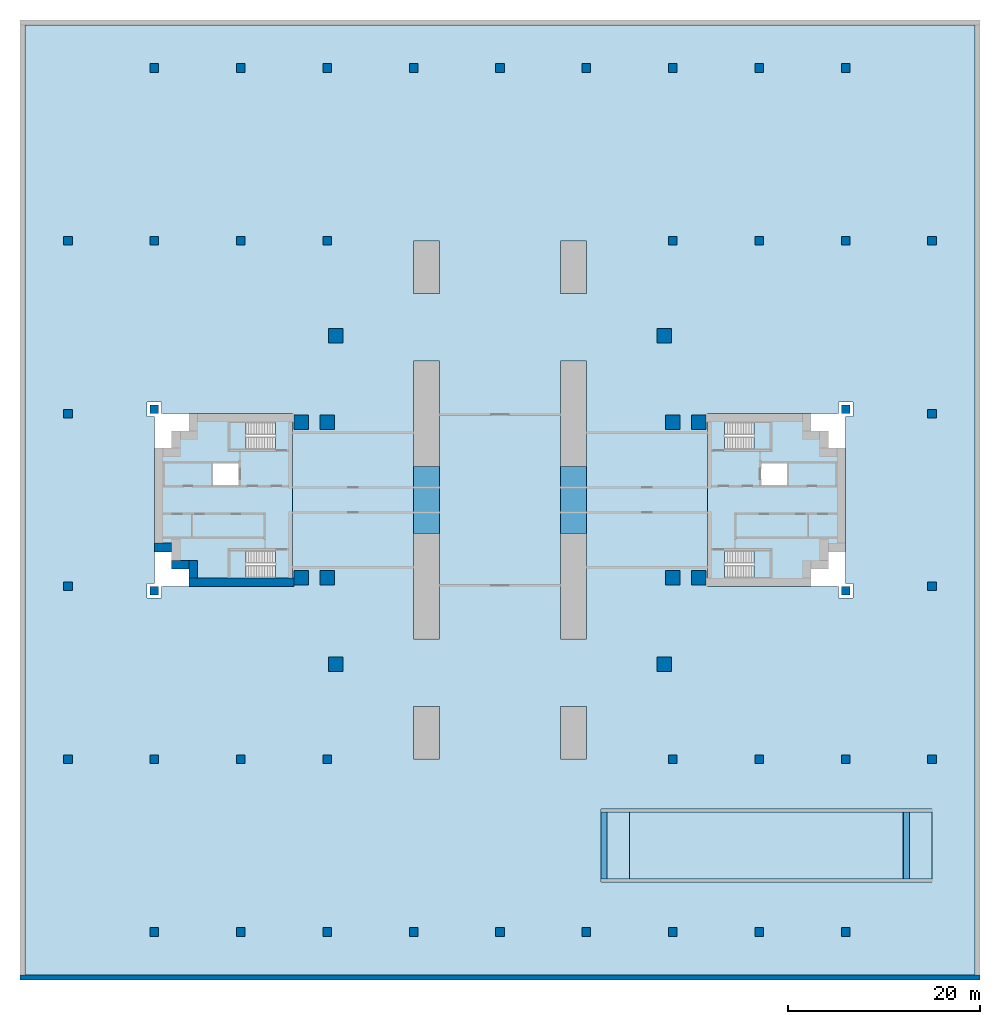
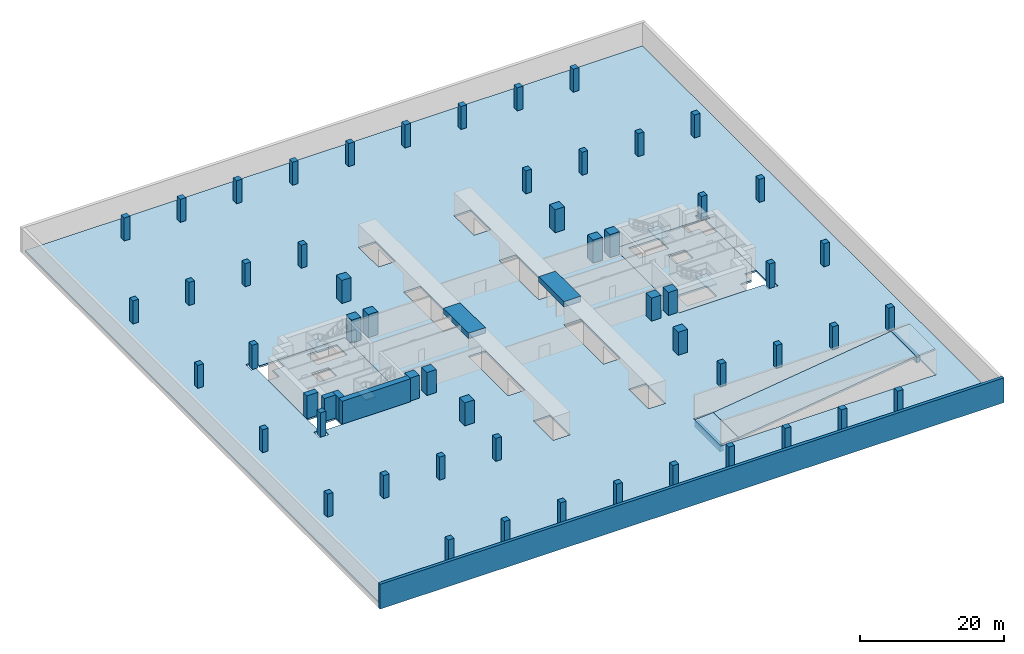
# One storey, part 1 of 8: 54 columns, 10 slabs, 5 walls, 4 beams, 4 elements without a shape of their own.
"""IFC4 building model written with IfcOpenShell, lengths in metres."""

from ifc_helpers import new_model, si_unit, direction, frame, frame_2d, origin, origin_2d, place, context, subcontext, project, spatial, polyline, rectangle, outline, extrude, material, layer, layer_set, material_profile, profile_set, type_object, element, aggregate, save


model = new_model("IFC4")

# Units and contexts
model_context = context("Model", 3, precision=1e-05, world=origin(), true_north=direction((0.0, 1.0)))
body_context = subcontext(model_context, "Body", "Model", "MODEL_VIEW")
ifc_project = project(units=[si_unit("LENGTHUNIT", "METRE"), si_unit("AREAUNIT", "SQUARE_METRE"), si_unit("VOLUMEUNIT", "CUBIC_METRE"), si_unit("PLANEANGLEUNIT", "RADIAN"), si_unit("MASSUNIT", "GRAM", prefix="KILO")], contexts=[model_context])

# Site, building, storey
site_placement = place(None, origin())
site = spatial("IfcSite", under=ifc_project, at=site_placement, CompositionType="ELEMENT")
building_placement = place(site_placement, origin())
building = spatial("IfcBuilding", under=site, at=building_placement, Name="Perihelion Cross Residences", CompositionType="ELEMENT")
storey_placement = place(building_placement, frame((0.0, 0.0, -12.89990234375)))
storey = spatial("IfcBuildingStorey", under=building, at=storey_placement, Name="B3", CompositionType="ELEMENT", Elevation=-12.89990234375)

# Columns
ifc_material_1 = material(Name="Concrete C80/95", Category="concrete")
ifc_material_profile_1 = material_profile(ifc_material_1, rectangle(XDim=1.5, YDim=1.5, at=origin_2d()), Name="RC 1500x1500")
ifc_profile_set_1 = profile_set([ifc_material_profile_1], Name="Concrete C80/95")
column_type_1 = type_object("IfcColumnType", Name="Reinforced concrete column 1500x1500 C80/95", PredefinedType="COLUMN", material=ifc_profile_set_1)
for number, where, z_axis, x_axis, name in (
    (1, (-20.699951171875, -8.10009765625, -0.300048828125), (0.0, 0.0, 1.0), (1.0, 0.0, 0.0), "Column C017 B3 no. 1"),
    (2, (-20.699951171875, 8.10009765625, -0.300048828125), (0.0, 0.0, 1.0), (1.0, 0.0, 0.0), "Column C010 B3 no. 1"),
    (3, (-18.0, -8.10009765625, -0.300048828125), (0.0, 0.0, 1.0), (1.0, 0.0, 0.0), "Column C018 B3 no. 1"),
    (4, (-18.0, 8.10009765625, -0.300048828125), (0.0, 0.0, 1.0), (1.0, 0.0, 0.0), "Column C011 B3 no. 1"),
    (5, (18.0, -8.10009765625, -0.300048828125), (0.0, 0.0, 1.0), (1.0, 0.0, 0.0), "Column C021 B3 no. 1"),
    (6, (18.0, 8.10009765625, -0.300048828125), (0.0, 0.0, 1.0), (1.0, 0.0, 0.0), "Column C015 B3 no. 1"),
    (7, (20.699951171875, -8.10009765625, -0.300048828125), (0.0, 0.0, 1.0), (1.0, 0.0, 0.0), "Column C022 B3 no. 1"),
    (8, (20.699951171875, 8.10009765625, -0.300048828125), (0.0, 0.0, 1.0), (1.0, 0.0, 0.0), "Column C016 B3 no. 1"),
    (9, (17.10009765625, 17.10009765625, -0.300048828125), (0.0, 0.0, 1.0), (1.0, 0.0, 0.0), "Column C009 B3 no. 1"),
    (10, (-17.10009765625, 17.10009765625, -0.300048828125), (0.0, 0.0, 1.0), (1.0, 0.0, 0.0), "Column C008 B3 no. 1"),
    (11, (-17.10009765625, -17.10009765625, -0.300048828125), (0.0, 0.0, 1.0), (1.0, 0.0, 0.0), "Column C030 B3 no. 1"),
    (12, (17.10009765625, -17.10009765625, -0.300048828125), (0.0, 0.0, 1.0), (1.0, 0.0, 0.0), "Column C036 B3 no. 1"),
):
    element("IfcColumn", number, at=place(storey_placement, frame(where, z_axis=z_axis, x_axis=x_axis)), inside=storey, type_object=column_type_1, Name=name, PredefinedType="COLUMN", context=body_context, shape_type="SweptSolid", body=[
        extrude(rectangle(XDim=1.5, YDim=1.5, at=origin_2d()), origin(), (0.0, 0.0, 1.0), 4.199951171875),
    ])
ifc_material_2 = material(Name="Concrete C50/60", Category="concrete")
ifc_material_profile_2 = material_profile(ifc_material_2, rectangle(XDim=0.89990234375, YDim=0.89990234375, at=origin_2d()), Name="RC 900x900")
ifc_profile_set_2 = profile_set([ifc_material_profile_2], Name="Concrete C50/60")
column_type_2 = type_object("IfcColumnType", Name="Reinforced concrete column 900x900 C50/60", PredefinedType="COLUMN", material=ifc_profile_set_2)
for number, where, z_axis, x_axis, name in (
    (13, (-45.0, -27.0, -0.300048828125), (0.0, 0.0, 1.0), (1.0, 0.0, 0.0), "Column CP12 B3 no. 1"),
    (14, (-45.0, -9.0, -0.300048828125), (0.0, 0.0, 1.0), (1.0, 0.0, 0.0), "Column CP13 B3 no. 1"),
    (15, (-45.0, 9.0, -0.300048828125), (0.0, 0.0, 1.0), (1.0, 0.0, 0.0), "Column CP14 B3 no. 1"),
    (16, (-45.0, 27.0, -0.300048828125), (0.0, 0.0, 1.0), (1.0, 0.0, 0.0), "Column CP15 B3 no. 1"),
    (17, (-36.0, -45.0, -0.300048828125), (0.0, 0.0, 1.0), (1.0, 0.0, 0.0), "Column CP21 B3 no. 1"),
    (18, (-36.0, -27.0, -0.300048828125), (0.0, 0.0, 1.0), (1.0, 0.0, 0.0), "Column CP22 B3 no. 1"),
    (19, (-36.0, 27.0, -0.300048828125), (0.0, 0.0, 1.0), (1.0, 0.0, 0.0), "Column CP25 B3 no. 1"),
    (20, (-36.0, 45.0, -0.300048828125), (0.0, 0.0, 1.0), (1.0, 0.0, 0.0), "Column CP26 B3 no. 1"),
    (21, (-27.0, -45.0, -0.300048828125), (0.0, 0.0, 1.0), (1.0, 0.0, 0.0), "Column CP31 B3 no. 1"),
    (22, (-27.0, -27.0, -0.300048828125), (0.0, 0.0, 1.0), (1.0, 0.0, 0.0), "Column CP32 B3 no. 1"),
    (23, (-27.0, 27.0, -0.300048828125), (0.0, 0.0, 1.0), (1.0, 0.0, 0.0), "Column CP35 B3 no. 1"),
    (24, (-27.0, 45.0, -0.300048828125), (0.0, 0.0, 1.0), (1.0, 0.0, 0.0), "Column CP36 B3 no. 1"),
    (25, (-18.0, -45.0, -0.300048828125), (0.0, 0.0, 1.0), (1.0, 0.0, 0.0), "Column CP41 B3 no. 1"),
    (26, (-18.0, -27.0, -0.300048828125), (0.0, 0.0, 1.0), (1.0, 0.0, 0.0), "Column CP42 B3 no. 1"),
    (27, (-18.0, 27.0, -0.300048828125), (0.0, 0.0, 1.0), (1.0, 0.0, 0.0), "Column CP45 B3 no. 1"),
    (28, (-18.0, 45.0, -0.300048828125), (0.0, 0.0, 1.0), (1.0, 0.0, 0.0), "Column CP46 B3 no. 1"),
    (29, (-9.0, -45.0, -0.300048828125), (0.0, 0.0, 1.0), (1.0, 0.0, 0.0), "Column CP51 B3 no. 1"),
    (30, (-9.0, 45.0, -0.300048828125), (0.0, 0.0, 1.0), (1.0, 0.0, 0.0), "Column CP56 B3 no. 1"),
    (31, (0.0, -45.0, -0.300048828125), (0.0, 0.0, 1.0), (1.0, 0.0, 0.0), "Column CP61 B3 no. 1"),
    (32, (0.0, 45.0, -0.300048828125), (0.0, 0.0, 1.0), (1.0, 0.0, 0.0), "Column CP66 B3 no. 1"),
    (33, (9.0, -45.0, -0.300048828125), (0.0, 0.0, 1.0), (1.0, 0.0, 0.0), "Column CP71 B3 no. 1"),
    (34, (9.0, 45.0, -0.300048828125), (0.0, 0.0, 1.0), (1.0, 0.0, 0.0), "Column CP76 B3 no. 1"),
    (35, (18.0, -45.0, -0.300048828125), (0.0, 0.0, 1.0), (1.0, 0.0, 0.0), "Column CP81 B3 no. 1"),
    (36, (18.0, -27.0, -0.300048828125), (0.0, 0.0, 1.0), (1.0, 0.0, 0.0), "Column CP82 B3 no. 1"),
    (37, (18.0, 27.0, -0.300048828125), (0.0, 0.0, 1.0), (1.0, 0.0, 0.0), "Column CP85 B3 no. 1"),
    (38, (18.0, 45.0, -0.300048828125), (0.0, 0.0, 1.0), (1.0, 0.0, 0.0), "Column CP86 B3 no. 1"),
    (39, (27.0, -45.0, -0.300048828125), (0.0, 0.0, 1.0), (1.0, 0.0, 0.0), "Column CP91 B3 no. 1"),
    (40, (27.0, -27.0, -0.300048828125), (0.0, 0.0, 1.0), (1.0, 0.0, 0.0), "Column CP92 B3 no. 1"),
    (41, (27.0, 27.0, -0.300048828125), (0.0, 0.0, 1.0), (1.0, 0.0, 0.0), "Column CP95 B3 no. 1"),
    (42, (27.0, 45.0, -0.300048828125), (0.0, 0.0, 1.0), (1.0, 0.0, 0.0), "Column CP96 B3 no. 1"),
    (43, (36.0, -45.0, -0.300048828125), (0.0, 0.0, 1.0), (1.0, 0.0, 0.0), "Column CP101 B3 no. 1"),
    (44, (36.0, -27.0, -0.300048828125), (0.0, 0.0, 1.0), (1.0, 0.0, 0.0), "Column CP102 B3 no. 1"),
    (45, (36.0, 27.0, -0.300048828125), (0.0, 0.0, 1.0), (1.0, 0.0, 0.0), "Column CP105 B3 no. 1"),
    (46, (36.0, 45.0, -0.300048828125), (0.0, 0.0, 1.0), (1.0, 0.0, 0.0), "Column CP106 B3 no. 1"),
    (47, (45.0, -27.0, -0.300048828125), (0.0, 0.0, 1.0), (1.0, 0.0, 0.0), "Column CP112 B3 no. 1"),
    (48, (45.0, -9.0, -0.300048828125), (0.0, 0.0, 1.0), (1.0, 0.0, 0.0), "Column CP113 B3 no. 1"),
    (49, (45.0, 9.0, -0.300048828125), (0.0, 0.0, 1.0), (1.0, 0.0, 0.0), "Column CP114 B3 no. 1"),
    (50, (45.0, 27.0, -0.300048828125), (0.0, 0.0, 1.0), (1.0, 0.0, 0.0), "Column CP115 B3 no. 1"),
    (51, (36.0, 9.449951171875, -0.300048828125), (0.0, 0.0, 1.0), (1.0, 0.0, 0.0), "Column LC1 B3 loggia no. 1"),
    (52, (36.0, -9.449951171875, -0.300048828125), (0.0, 0.0, 1.0), (1.0, 0.0, 0.0), "Column LC2 B3 loggia no. 1"),
    (53, (-36.0, 9.449951171875, -0.300048828125), (0.0, 0.0, 1.0), (1.0, 0.0, 0.0), "Column LC3 B3 loggia no. 1"),
    (54, (-36.0, -9.449951171875, -0.300048828125), (0.0, 0.0, 1.0), (1.0, 0.0, 0.0), "Column LC4 B3 loggia no. 1"),
):
    element("IfcColumn", number, at=place(storey_placement, frame(where, z_axis=z_axis, x_axis=x_axis)), inside=storey, type_object=column_type_2, Name=name, PredefinedType="COLUMN", context=body_context, shape_type="SweptSolid", body=[
        extrude(rectangle(XDim=0.89990234375, YDim=0.89990234375, at=origin_2d()), origin(), (0.0, 0.0, 1.0), 4.199951171875),
    ])

# Beams
ifc_material_3 = material(Name="Concrete C60/75", Category="concrete")
ifc_material_profile_3 = material_profile(ifc_material_3, rectangle(XDim=2.699951171875, YDim=0.89990234375, at=origin_2d()), Name="Lane lintel beam 2700 x 900 concrete C60/75")
ifc_profile_set_3 = profile_set([ifc_material_profile_3], Name="Concrete C60/75")
beam_type_1 = type_object("IfcBeamType", Name="Lane lintel beam 2700 x 900 concrete C60/75", PredefinedType="BEAM", material=ifc_profile_set_3)
for number, where, z_axis, x_axis, name in (
    (55, (7.64990234375, -3.5, 3.449951171875), (0.0, 1.0, 0.0), (-1.0, 0.0, 0.0), "Beam CB7 B3 pier east lintel"),
    (56, (-7.64990234375, -3.5, 3.449951171875), (0.0, 1.0, 0.0), (-1.0, 0.0, 0.0), "Beam CB7 B3 pier west lintel"),
):
    element("IfcBeam", number, at=place(storey_placement, frame(where, z_axis=z_axis, x_axis=x_axis)), inside=storey, type_object=beam_type_1, Name=name, PredefinedType="BEAM", context=body_context, shape_type="SweptSolid", body=[
        extrude(rectangle(XDim=2.699951171875, YDim=0.89990234375, at=origin_2d()), origin(), (0.0, 0.0, 1.0), 7.0),
    ])
ifc_material_4 = material(Name="Concrete C50/60", Category="concrete")
ifc_material_profile_4 = material_profile(ifc_material_4, rectangle(XDim=0.60009765625, YDim=0.89990234375, at=origin_2d()), Name="RC 600x900")
ifc_profile_set_4 = profile_set([ifc_material_profile_4], Name="Concrete C50/60")
beam_type_2 = type_object("IfcBeamType", Name="Ramp house end beam 600 x 900 concrete C50/60", PredefinedType="BEAM", material=ifc_profile_set_4)
for number, where, z_axis, x_axis, name in (
    (57, (42.3330078125, -39.5, 3.25146484375), (0.0, 1.0, 0.0), (-1.0, 0.0, 0.0), "Ramp bearer B2 to B3 piece 1"),
    (58, (10.820068359375, -39.5, -0.74951171875), (0.0, 1.0, 0.0), (-1.0, 0.0, 0.0), "Ramp bearer B2 to B3 piece 3"),
):
    element("IfcBeam", number, at=place(storey_placement, frame(where, z_axis=z_axis, x_axis=x_axis)), inside=storey, type_object=beam_type_2, Name=name, PredefinedType="BEAM", context=body_context, shape_type="SweptSolid", body=[
        extrude(rectangle(XDim=0.60009765625, YDim=0.89990234375, at=origin_2d()), origin(), (0.0, 0.0, 1.0), 7.0),
    ])

# Slabs
ifc_material_5 = material(Name="Concrete C40/50", Category="concrete")
ifc_layer_1 = layer(ifc_material_5, 0.300048828125)
ifc_layer_set_1 = layer_set([ifc_layer_1], Name="Basement flat plate concrete C40/50")
slab_type_1 = type_object("IfcSlabType", Name="Basement flat plate concrete C40/50", PredefinedType="FLOOR", material=ifc_layer_set_1)
slab_1_placement = place(storey_placement, frame((0.0, 0.0, -0.300048828125)))
element("IfcSlab", 59, at=slab_1_placement, inside=storey, type_object=slab_type_1, Name="Slab SL2 B3 1 no. 1", PredefinedType="FLOOR", context=body_context, shape_type="SweptSolid", body=[
    extrude(outline(polyline([(-49.5, -49.5), (-49.5, 49.5), (49.5, 49.5), (49.5, -49.5), (-49.5, -49.5)]), holes=[polyline([(-18.449951171875, -45.449951171875), (-17.550048828125, -45.449951171875), (-17.550048828125, -44.550048828125), (-18.449951171875, -44.550048828125), (-18.449951171875, -45.449951171875)]), polyline([(-36.449951171875, -45.449951171875), (-35.550048828125, -45.449951171875), (-35.550048828125, -44.550048828125), (-36.449951171875, -44.550048828125), (-36.449951171875, -45.449951171875)]), polyline([(-27.449951171875, -45.449951171875), (-26.550048828125, -45.449951171875), (-26.550048828125, -44.550048828125), (-27.449951171875, -44.550048828125), (-27.449951171875, -45.449951171875)]), polyline([(-45.449951171875, -27.449951171875), (-44.550048828125, -27.449951171875), (-44.550048828125, -26.550048828125), (-45.449951171875, -26.550048828125), (-45.449951171875, -27.449951171875)]), polyline([(-18.449951171875, -27.449951171875), (-17.550048828125, -27.449951171875), (-17.550048828125, -26.550048828125), (-18.449951171875, -26.550048828125), (-18.449951171875, -27.449951171875)]), polyline([(-36.449951171875, -27.449951171875), (-35.550048828125, -27.449951171875), (-35.550048828125, -26.550048828125), (-36.449951171875, -26.550048828125), (-36.449951171875, -27.449951171875)]), polyline([(-27.449951171875, -27.449951171875), (-26.550048828125, -27.449951171875), (-26.550048828125, -26.550048828125), (-27.449951171875, -26.550048828125), (-27.449951171875, -27.449951171875)]), polyline([(-36.75, -10.199951171875), (-35.25, -10.199951171875), (-35.25, -9.0), (-21.60009765625, -9.0), (-21.60009765625, 9.0), (-35.25, 9.0), (-35.25, 10.199951171875), (-36.75, 10.199951171875), (-36.75, 8.699951171875), (-36.0, 8.699951171875), (-36.0, -8.699951171875), (-36.75, -8.699951171875), (-36.75, -10.199951171875)]), polyline([(-45.449951171875, -9.449951171875), (-44.550048828125, -9.449951171875), (-44.550048828125, -8.550048828125), (-45.449951171875, -8.550048828125), (-45.449951171875, -9.449951171875)]), polyline([(-21.449951171875, -8.85009765625), (-19.949951171875, -8.85009765625), (-19.949951171875, -7.35009765625), (-21.449951171875, -7.35009765625), (-21.449951171875, -8.85009765625)]), polyline([(-18.75, 7.35009765625), (-17.25, 7.35009765625), (-17.25, 8.85009765625), (-18.75, 8.85009765625), (-18.75, 7.35009765625)]), polyline([(-21.449951171875, 7.35009765625), (-19.949951171875, 7.35009765625), (-19.949951171875, 8.85009765625), (-21.449951171875, 8.85009765625), (-21.449951171875, 7.35009765625)]), polyline([(-45.449951171875, 8.550048828125), (-44.550048828125, 8.550048828125), (-44.550048828125, 9.449951171875), (-45.449951171875, 9.449951171875), (-45.449951171875, 8.550048828125)]), polyline([(-27.449951171875, 26.550048828125), (-26.550048828125, 26.550048828125), (-26.550048828125, 27.449951171875), (-27.449951171875, 27.449951171875), (-27.449951171875, 26.550048828125)]), polyline([(-36.449951171875, 26.550048828125), (-35.550048828125, 26.550048828125), (-35.550048828125, 27.449951171875), (-36.449951171875, 27.449951171875), (-36.449951171875, 26.550048828125)]), polyline([(-18.449951171875, 26.550048828125), (-17.550048828125, 26.550048828125), (-17.550048828125, 27.449951171875), (-18.449951171875, 27.449951171875), (-18.449951171875, 26.550048828125)]), polyline([(-45.449951171875, 26.550048828125), (-44.550048828125, 26.550048828125), (-44.550048828125, 27.449951171875), (-45.449951171875, 27.449951171875), (-45.449951171875, 26.550048828125)]), polyline([(-27.449951171875, 44.550048828125), (-26.550048828125, 44.550048828125), (-26.550048828125, 45.449951171875), (-27.449951171875, 45.449951171875), (-27.449951171875, 44.550048828125)]), polyline([(-36.449951171875, 44.550048828125), (-35.550048828125, 44.550048828125), (-35.550048828125, 45.449951171875), (-36.449951171875, 45.449951171875), (-36.449951171875, 44.550048828125)]), polyline([(-18.449951171875, 44.550048828125), (-17.550048828125, 44.550048828125), (-17.550048828125, 45.449951171875), (-18.449951171875, 45.449951171875), (-18.449951171875, 44.550048828125)]), polyline([(17.550048828125, -45.449951171875), (18.449951171875, -45.449951171875), (18.449951171875, -44.550048828125), (17.550048828125, -44.550048828125), (17.550048828125, -45.449951171875)]), polyline([(-9.449951171875, -45.449951171875), (-8.550048828125, -45.449951171875), (-8.550048828125, -44.550048828125), (-9.449951171875, -44.550048828125), (-9.449951171875, -45.449951171875)]), polyline([(8.550048828125, -45.449951171875), (9.449951171875, -45.449951171875), (9.449951171875, -44.550048828125), (8.550048828125, -44.550048828125), (8.550048828125, -45.449951171875)]), polyline([(-0.449951171875, -45.449951171875), (0.449951171875, -45.449951171875), (0.449951171875, -44.550048828125), (-0.449951171875, -44.550048828125), (-0.449951171875, -45.449951171875)]), polyline([(6.300048828125, -27.0), (9.0, -27.0), (9.0, -21.5), (6.300048828125, -21.5), (6.300048828125, -27.0)]), polyline([(-9.0, -27.0), (-6.300048828125, -27.0), (-6.300048828125, -21.5), (-9.0, -21.5), (-9.0, -27.0)]), polyline([(-17.85009765625, -17.85009765625), (-16.35009765625, -17.85009765625), (-16.35009765625, -16.35009765625), (-17.85009765625, -16.35009765625), (-17.85009765625, -17.85009765625)]), polyline([(16.35009765625, -17.85009765625), (17.85009765625, -17.85009765625), (17.85009765625, -16.35009765625), (16.35009765625, -16.35009765625), (16.35009765625, -17.85009765625)]), polyline([(-9.0, -14.5), (-6.300048828125, -14.5), (-6.300048828125, -3.5), (-9.0, -3.5), (-9.0, -14.5)]), polyline([(6.300048828125, -14.5), (9.0, -14.5), (9.0, -3.5), (6.300048828125, -3.5), (6.300048828125, -14.5)]), polyline([(-18.75, -8.85009765625), (-17.25, -8.85009765625), (-17.25, -7.35009765625), (-18.75, -7.35009765625), (-18.75, -8.85009765625)]), polyline([(17.25, 7.35009765625), (18.75, 7.35009765625), (18.75, 8.85009765625), (17.25, 8.85009765625), (17.25, 7.35009765625)]), polyline([(-9.0, 3.5), (-6.300048828125, 3.5), (-6.300048828125, 14.5), (-9.0, 14.5), (-9.0, 3.5)]), polyline([(6.300048828125, 3.5), (9.0, 3.5), (9.0, 14.5), (6.300048828125, 14.5), (6.300048828125, 3.5)]), polyline([(16.35009765625, 16.35009765625), (17.85009765625, 16.35009765625), (17.85009765625, 17.85009765625), (16.35009765625, 17.85009765625), (16.35009765625, 16.35009765625)]), polyline([(-17.85009765625, 16.35009765625), (-16.35009765625, 16.35009765625), (-16.35009765625, 17.85009765625), (-17.85009765625, 17.85009765625), (-17.85009765625, 16.35009765625)]), polyline([(6.300048828125, 21.5), (9.0, 21.5), (9.0, 27.0), (6.300048828125, 27.0), (6.300048828125, 21.5)]), polyline([(-9.0, 21.5), (-6.300048828125, 21.5), (-6.300048828125, 27.0), (-9.0, 27.0), (-9.0, 21.5)]), polyline([(-0.449951171875, 44.550048828125), (0.449951171875, 44.550048828125), (0.449951171875, 45.449951171875), (-0.449951171875, 45.449951171875), (-0.449951171875, 44.550048828125)]), polyline([(-9.449951171875, 44.550048828125), (-8.550048828125, 44.550048828125), (-8.550048828125, 45.449951171875), (-9.449951171875, 45.449951171875), (-9.449951171875, 44.550048828125)]), polyline([(8.550048828125, 44.550048828125), (9.449951171875, 44.550048828125), (9.449951171875, 45.449951171875), (8.550048828125, 45.449951171875), (8.550048828125, 44.550048828125)]), polyline([(17.550048828125, 44.550048828125), (18.449951171875, 44.550048828125), (18.449951171875, 45.449951171875), (17.550048828125, 45.449951171875), (17.550048828125, 44.550048828125)]), polyline([(26.550048828125, -45.449951171875), (27.449951171875, -45.449951171875), (27.449951171875, -44.550048828125), (26.550048828125, -44.550048828125), (26.550048828125, -45.449951171875)]), polyline([(35.550048828125, -45.449951171875), (36.449951171875, -45.449951171875), (36.449951171875, -44.550048828125), (35.550048828125, -44.550048828125), (35.550048828125, -45.449951171875)]), polyline([(10.5, -39.800048828125), (45.0, -39.800048828125), (45.0, -32.199951171875), (10.5, -32.199951171875), (10.5, -39.800048828125)]), polyline([(44.550048828125, -27.449951171875), (45.449951171875, -27.449951171875), (45.449951171875, -26.550048828125), (44.550048828125, -26.550048828125), (44.550048828125, -27.449951171875)]), polyline([(35.550048828125, -27.449951171875), (36.449951171875, -27.449951171875), (36.449951171875, -26.550048828125), (35.550048828125, -26.550048828125), (35.550048828125, -27.449951171875)]), polyline([(26.550048828125, -27.449951171875), (27.449951171875, -27.449951171875), (27.449951171875, -26.550048828125), (26.550048828125, -26.550048828125), (26.550048828125, -27.449951171875)]), polyline([(17.550048828125, -27.449951171875), (18.449951171875, -27.449951171875), (18.449951171875, -26.550048828125), (17.550048828125, -26.550048828125), (17.550048828125, -27.449951171875)]), polyline([(35.25, -10.199951171875), (36.75, -10.199951171875), (36.75, -8.699951171875), (36.0, -8.699951171875), (36.0, 8.699951171875), (36.75, 8.699951171875), (36.75, 10.199951171875), (35.25, 10.199951171875), (35.25, 9.0), (21.60009765625, 9.0), (21.60009765625, -9.0), (35.25, -9.0), (35.25, -10.199951171875)]), polyline([(44.550048828125, -9.449951171875), (45.449951171875, -9.449951171875), (45.449951171875, -8.550048828125), (44.550048828125, -8.550048828125), (44.550048828125, -9.449951171875)]), polyline([(17.25, -8.85009765625), (18.75, -8.85009765625), (18.75, -7.35009765625), (17.25, -7.35009765625), (17.25, -8.85009765625)]), polyline([(19.949951171875, -8.85009765625), (21.449951171875, -8.85009765625), (21.449951171875, -7.35009765625), (19.949951171875, -7.35009765625), (19.949951171875, -8.85009765625)]), polyline([(19.949951171875, 7.35009765625), (21.449951171875, 7.35009765625), (21.449951171875, 8.85009765625), (19.949951171875, 8.85009765625), (19.949951171875, 7.35009765625)]), polyline([(44.550048828125, 8.550048828125), (45.449951171875, 8.550048828125), (45.449951171875, 9.449951171875), (44.550048828125, 9.449951171875), (44.550048828125, 8.550048828125)]), polyline([(35.550048828125, 26.550048828125), (36.449951171875, 26.550048828125), (36.449951171875, 27.449951171875), (35.550048828125, 27.449951171875), (35.550048828125, 26.550048828125)]), polyline([(26.550048828125, 26.550048828125), (27.449951171875, 26.550048828125), (27.449951171875, 27.449951171875), (26.550048828125, 27.449951171875), (26.550048828125, 26.550048828125)]), polyline([(44.550048828125, 26.550048828125), (45.449951171875, 26.550048828125), (45.449951171875, 27.449951171875), (44.550048828125, 27.449951171875), (44.550048828125, 26.550048828125)]), polyline([(17.550048828125, 26.550048828125), (18.449951171875, 26.550048828125), (18.449951171875, 27.449951171875), (17.550048828125, 27.449951171875), (17.550048828125, 26.550048828125)]), polyline([(35.550048828125, 45.449951171875), (35.550048828125, 44.550048828125), (36.449951171875, 44.550048828125), (36.449951171875, 45.449951171875), (35.550048828125, 45.449951171875)]), polyline([(26.550048828125, 45.449951171875), (26.550048828125, 44.550048828125), (27.449951171875, 44.550048828125), (27.449951171875, 45.449951171875), (26.550048828125, 45.449951171875)])]), origin(), (0.0, 0.0, 1.0), 0.300048828125),
])
ifc_material_6 = material(Name="Concrete C40/50", Category="concrete")
ifc_layer_2 = layer(ifc_material_6, 0.300048828125)
ifc_layer_set_2 = layer_set([ifc_layer_2], Name="Core floor slab 300")
slab_type_2 = type_object("IfcSlabType", Name="Core floor slab 300", PredefinedType="FLOOR", material=ifc_layer_set_2)
slab_2_placement = place(storey_placement, frame((0.0, 0.0, -0.300048828125)))
element("IfcSlab", 60, at=slab_2_placement, inside=storey, type_object=slab_type_2, Name="East core floor slab", PredefinedType="FLOOR", context=body_context, shape_type="SweptSolid", body=[
    extrude(outline(polyline([(32.39990234375, 7.199951171875), (34.199951171875, 7.199951171875), (34.199951171875, 5.39990234375), (36.0, 5.39990234375), (36.0, -5.39990234375), (34.199951171875, -5.39990234375), (34.199951171875, -7.199951171875), (32.39990234375, -7.199951171875), (32.39990234375, -9.0), (21.60009765625, -9.0), (21.60009765625, 9.0), (32.39990234375, 9.0), (32.39990234375, 7.199951171875)]), holes=[polyline([(28.14990234375, -5.25), (23.405029296875, -5.25), (23.405029296875, -8.10009765625), (28.14990234375, -8.10009765625), (28.14990234375, -5.25)]), polyline([(27.199951171875, 1.550048828125), (29.89990234375, 1.550048828125), (29.89990234375, 3.85009765625), (27.199951171875, 3.85009765625), (27.199951171875, 1.550048828125)]), polyline([(28.14990234375, 5.25), (28.14990234375, 8.10009765625), (23.405029296875, 8.10009765625), (23.405029296875, 5.25), (28.14990234375, 5.25)])]), origin(), (0.0, 0.0, 1.0), 0.300048828125),
])
slab_3_placement = place(storey_placement, frame((0.0, 0.0, -0.300048828125)))
element("IfcSlab", 61, at=slab_3_placement, inside=storey, type_object=slab_type_2, Name="West core floor slab", PredefinedType="FLOOR", context=body_context, shape_type="SweptSolid", body=[
    extrude(outline(polyline([(-32.39990234375, 7.199951171875), (-34.199951171875, 7.199951171875), (-34.199951171875, 5.39990234375), (-36.0, 5.39990234375), (-36.0, -5.39990234375), (-34.199951171875, -5.39990234375), (-34.199951171875, -7.199951171875), (-32.39990234375, -7.199951171875), (-32.39990234375, -9.0), (-21.60009765625, -9.0), (-21.60009765625, 9.0), (-32.39990234375, 9.0), (-32.39990234375, 7.199951171875)]), holes=[polyline([(-28.14990234375, -5.25), (-23.405029296875, -5.25), (-23.405029296875, -8.10009765625), (-28.14990234375, -8.10009765625), (-28.14990234375, -5.25)]), polyline([(-27.199951171875, 1.550048828125), (-29.89990234375, 1.550048828125), (-29.89990234375, 3.85009765625), (-27.199951171875, 3.85009765625), (-27.199951171875, 1.550048828125)]), polyline([(-28.14990234375, 5.25), (-28.14990234375, 8.10009765625), (-23.405029296875, 8.10009765625), (-23.405029296875, 5.25), (-28.14990234375, 5.25)])]), origin(), (0.0, 0.0, 1.0), 0.300048828125),
])

# Stair, slab
ifc_material_7 = material(Name="Concrete C40/50", Category="concrete")
stair_type = type_object("IfcStairType", Name="Exit stair, half-turn", PredefinedType="HALF_TURN_STAIR", material=ifc_material_7)
stair_1_placement = place(storey_placement, origin())
stair_1 = element("IfcStair", 62, at=stair_1_placement, inside=storey, type_object=stair_type, Name="B3 East core exit stair 1", PredefinedType="HALF_TURN_STAIR")
ifc_material_8 = material(Name="Concrete C40/50", Category="concrete")
ifc_layer_3 = layer(ifc_material_8, 0.199951171875)
ifc_layer_set_3 = layer_set([ifc_layer_3], Name="Exit stair landing 200")
slab_type_3 = type_object("IfcSlabType", Name="Exit stair landing 200", PredefinedType="LANDING", material=ifc_layer_set_3)
slab_4_placement = place(storey_placement, frame((0.0, 0.0, 1.89990234375)))
slab_4 = element("IfcSlab", 63, at=slab_4_placement, type_object=slab_type_3, Name="ST-E1 landing 1", PredefinedType="LANDING", context=body_context, shape_type="SweptSolid", body=[
    extrude(outline(polyline([(26.47998046875, 5.25), (28.14990234375, 5.25), (28.14990234375, 8.10009765625), (26.47998046875, 8.10009765625), (26.47998046875, 5.25)])), origin(), (0.0, 0.0, 1.0), 0.199951171875),
])
aggregate(stair_1, [slab_4])

stair_2_placement = place(storey_placement, origin())
stair_2 = element("IfcStair", 64, at=stair_2_placement, inside=storey, type_object=stair_type, Name="B3 East core exit stair 2", PredefinedType="HALF_TURN_STAIR")
slab_5_placement = place(storey_placement, frame((0.0, 0.0, 1.89990234375)))
slab_5 = element("IfcSlab", 65, at=slab_5_placement, type_object=slab_type_3, Name="ST-E2 landing 1", PredefinedType="LANDING", context=body_context, shape_type="SweptSolid", body=[
    extrude(outline(polyline([(26.47998046875, -8.10009765625), (28.14990234375, -8.10009765625), (28.14990234375, -5.25), (26.47998046875, -5.25), (26.47998046875, -8.10009765625)])), origin(), (0.0, 0.0, 1.0), 0.199951171875),
])
aggregate(stair_2, [slab_5])

stair_3_placement = place(storey_placement, origin())
stair_3 = element("IfcStair", 66, at=stair_3_placement, inside=storey, type_object=stair_type, Name="B3 West core exit stair 1", PredefinedType="HALF_TURN_STAIR")
slab_6_placement = place(storey_placement, frame((0.0, 0.0, 1.89990234375)))
slab_6 = element("IfcSlab", 67, at=slab_6_placement, type_object=slab_type_3, Name="ST-W1 landing 1", PredefinedType="LANDING", context=body_context, shape_type="SweptSolid", body=[
    extrude(outline(polyline([(-26.47998046875, 8.10009765625), (-28.14990234375, 8.10009765625), (-28.14990234375, 5.25), (-26.47998046875, 5.25), (-26.47998046875, 8.10009765625)])), origin(), (0.0, 0.0, 1.0), 0.199951171875),
])
aggregate(stair_3, [slab_6])

stair_4_placement = place(storey_placement, origin())
stair_4 = element("IfcStair", 68, at=stair_4_placement, inside=storey, type_object=stair_type, Name="B3 West core exit stair 2", PredefinedType="HALF_TURN_STAIR")
slab_7_placement = place(storey_placement, frame((0.0, 0.0, 1.89990234375)))
slab_7 = element("IfcSlab", 69, at=slab_7_placement, type_object=slab_type_3, Name="ST-W2 landing 1", PredefinedType="LANDING", context=body_context, shape_type="SweptSolid", body=[
    extrude(outline(polyline([(-26.47998046875, -5.25), (-28.14990234375, -5.25), (-28.14990234375, -8.10009765625), (-26.47998046875, -8.10009765625), (-26.47998046875, -5.25)])), origin(), (0.0, 0.0, 1.0), 0.199951171875),
])
aggregate(stair_4, [slab_7])

# Slabs
ifc_material_9 = material(Name="Concrete C40/50", Category="concrete")
ifc_layer_4 = layer(ifc_material_9, 0.300048828125)
ifc_layer_set_4 = layer_set([ifc_layer_4], Name="Vehicle ramp slab 300 concrete C40/50")
slab_type_4 = type_object("IfcSlabType", Name="Vehicle ramp slab 300 concrete C40/50", PredefinedType="USERDEFINED", material=ifc_layer_set_4)
slab_8_placement = place(storey_placement, frame((45.0, -39.5, 4.199951171875), z_axis=(-0.066546074071, 0.0, 0.997783353251), x_axis=(-0.997783353251, 0.0, -0.066546074071)))
element("IfcSlab", 70, at=slab_8_placement, inside=storey, type_object=slab_type_4, Name="Vehicle ramp B2 to B3 slab 1", ObjectType="VEHICLE RAMP", PredefinedType="USERDEFINED", context=body_context, shape_type="SweptSolid", body=[
    extrude(outline(polyline([(0.0, 0.0), (2.9936965145199235, 0.0), (2.9936965145199235, -7.0), (0.0, -7.0), (0.0, 0.0)])), origin(), (0.0, 0.0, -1.0), 0.300048828125),
])
slab_9_placement = place(storey_placement, frame((41.987060546875, -39.5, 3.998291015625), z_axis=(-0.132166503575, 0.0, 0.991227529547), x_axis=(-0.991227529547, 0.0, -0.132166503575)))
element("IfcSlab", 71, at=slab_9_placement, inside=storey, type_object=slab_type_4, Name="Vehicle ramp B2 to B3 slab 2", ObjectType="VEHICLE RAMP", PredefinedType="USERDEFINED", context=body_context, shape_type="SweptSolid", body=[
    extrude(outline(polyline([(0.0, 0.0), (28.726120133841555, 0.0), (28.726120133841555, -7.0), (0.0, -7.0), (0.0, 0.0)])), origin(), (0.0, 0.0, -1.0), 0.300048828125),
])
slab_10_placement = place(storey_placement, frame((13.487060546875, -39.5, 0.198974609375), z_axis=(-0.06646488299, 0.0, 0.997788764884), x_axis=(-0.997788764884, 0.0, -0.06646488299)))
element("IfcSlab", 72, at=slab_10_placement, inside=storey, type_object=slab_type_4, Name="Vehicle ramp B2 to B3 slab 3", ObjectType="VEHICLE RAMP", PredefinedType="USERDEFINED", context=body_context, shape_type="SweptSolid", body=[
    extrude(outline(polyline([(0.0, 0.0), (2.9936802778308023, 0.0), (2.9936802778308023, -7.000000000000002), (0.0, -7.0), (0.0, 0.0)])), origin(), (0.0, 0.0, -1.0), 0.300048828125),
])

# Walls
ifc_material_10 = material(Name="Concrete C40/50", Category="concrete")
ifc_layer_5 = layer(ifc_material_10, 0.5)
ifc_layer_set_5 = layer_set([ifc_layer_5], Name="Basement retaining wall 500 concrete C40/50")
wall_type_1 = type_object("IfcWallType", Name="Basement retaining wall 500 concrete C40/50", PredefinedType="SOLIDWALL", material=ifc_layer_set_5)
wall_1_placement = place(storey_placement, frame((-50.0, -49.75, -0.300048828125), z_axis=(0.0, 0.0, 1.0), x_axis=(1.0, 0.0, 0.0)))
element("IfcWall", 73, at=wall_1_placement, inside=storey, type_object=wall_type_1, Name="Wall SW1 B3 retaining south", PredefinedType="SOLIDWALL", context=body_context, shape_type="SweptSolid", body=[
    extrude(rectangle(XDim=100.0, YDim=0.5, at=frame_2d((50.0, 0.0))), origin(), (0.0, 0.0, 1.0), 4.199951171875),
])
ifc_material_11 = material(Name="Concrete C60/75", Category="concrete")
ifc_layer_6 = layer(ifc_material_11, 0.89990234375)
ifc_layer_set_6 = layer_set([ifc_layer_6], Name="Core wall, outer 900")
wall_type_2 = type_object("IfcWallType", Name="Core wall, outer 900", PredefinedType="SHEAR", material=ifc_layer_set_6)
wall_2_placement = place(storey_placement, frame((-32.39990234375, -8.550048828125, 0.0), z_axis=(0.0, 0.0, 1.0), x_axis=(1.0, 0.0, 0.0)))
element("IfcWall", 74, at=wall_2_placement, inside=storey, type_object=wall_type_2, Name="West core core wall, outer", PredefinedType="SHEAR", context=body_context, shape_type="SweptSolid", body=[
    extrude(rectangle(XDim=10.949951171875, YDim=0.89990234375, at=frame_2d((5.47509765625, 0.0))), origin(), (0.0, 0.0, 1.0), 3.89990234375),
])
for number, where, z_axis, x_axis, name in (
    (75, (-31.949951171875, -8.10009765625, 0.0), (0.0, 0.0, 1.0), (0.0, 1.0, 0.0), "West core core wall, outer"),
    (76, (-34.199951171875, -6.75, 0.0), (0.0, 0.0, 1.0), (1.0, 0.0, 0.0), "West core core wall, outer"),
    (77, (-36.0, -4.949951171875, 0.0), (0.0, 0.0, 1.0), (1.0, 0.0, 0.0), "West core core wall, outer"),
):
    element("IfcWall", number, at=place(storey_placement, frame(where, z_axis=z_axis, x_axis=x_axis)), inside=storey, type_object=wall_type_2, Name=name, PredefinedType="SHEAR", context=body_context, shape_type="SweptSolid", body=[
        extrude(rectangle(XDim=1.800048828125, YDim=0.89990234375, at=frame_2d((0.89990234375, 0.0))), origin(), (0.0, 0.0, 1.0), 3.89990234375),
    ])

save(model, "model.ifc")
